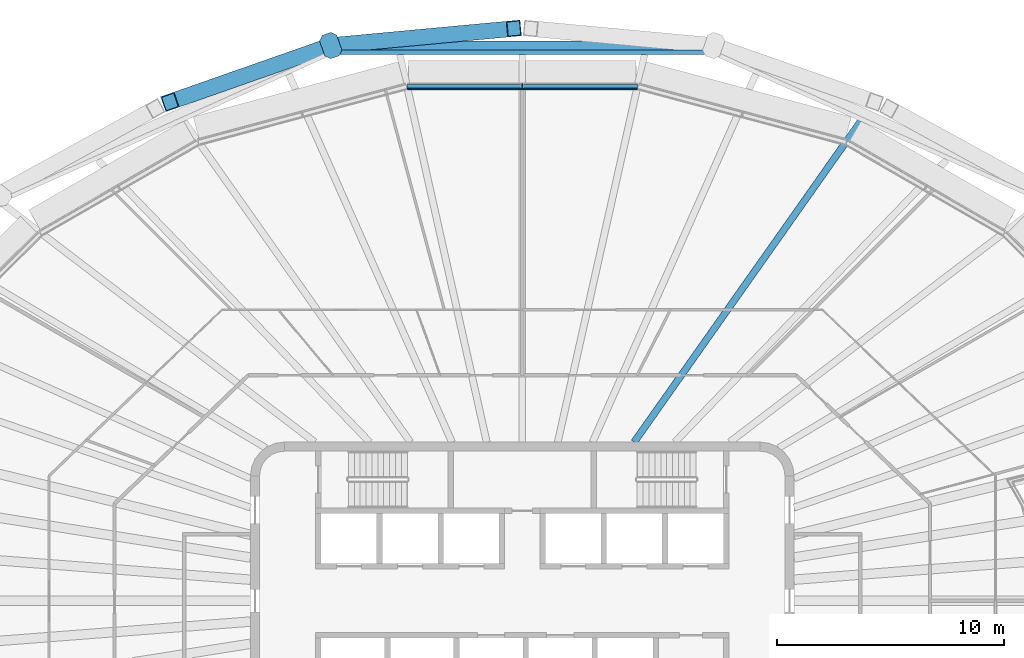
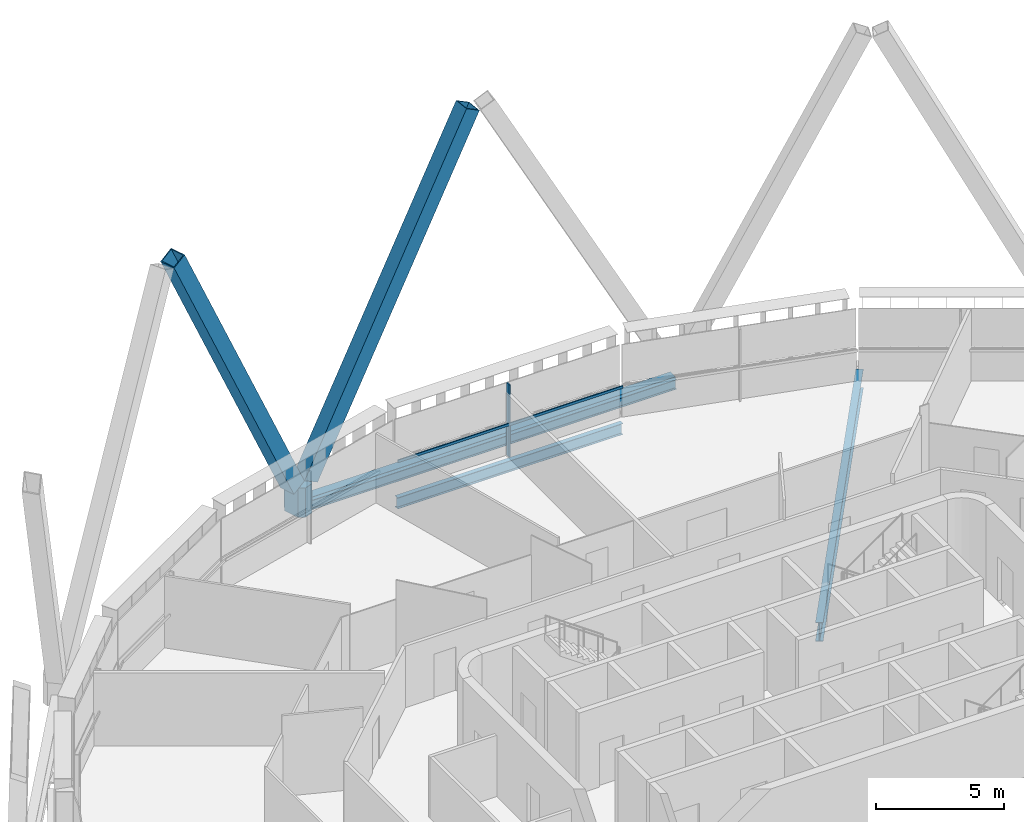
# One storey, part 7 of 20: 5 members, 4 beams, 1 element without a shape of its own.
"""IFC4 building model written with IfcOpenShell, lengths in metres."""

from ifc_helpers import new_model, si_unit, direction, frame, origin, origin_2d, place, context, subcontext, project, spatial, polyline, rectangle, hollow_rectangle, i_section, outline, extrude, material, layer, layer_set, material_profile, profile_set, type_object, element, aggregate, save


model = new_model("IFC4")

# Units and contexts
model_context = context("Model", 3, precision=1e-05, world=origin(), true_north=direction((0.0, 1.0)))
body_context = subcontext(model_context, "Body", "Model", "MODEL_VIEW")
ifc_project = project(units=[si_unit("LENGTHUNIT", "METRE"), si_unit("AREAUNIT", "SQUARE_METRE"), si_unit("VOLUMEUNIT", "CUBIC_METRE"), si_unit("PLANEANGLEUNIT", "RADIAN"), si_unit("MASSUNIT", "GRAM", prefix="KILO")], contexts=[model_context])

# Site, building, storey
site_placement = place(None, origin())
site = spatial("IfcSite", under=ifc_project, at=site_placement, CompositionType="ELEMENT")
building_placement = place(site_placement, origin())
building = spatial("IfcBuilding", under=site, at=building_placement, Name="Sahrelin Media Tower", CompositionType="ELEMENT")
storey_placement = place(building_placement, frame((0.0, 0.0, 267.0)))
storey = spatial("IfcBuildingStorey", under=building, at=storey_placement, Name="L58", CompositionType="ELEMENT", Elevation=267.0)

# Members
ifc_material_1 = material(Name="Steel S460", Category="steel")
ifc_material_profile_1 = material_profile(ifc_material_1, hollow_rectangle(XDim=0.699951171875, YDim=0.699951171875, WallThickness=0.0400390625, at=origin_2d()), Name="Diagrid diagonal DG7")
ifc_profile_set_1 = profile_set([ifc_material_profile_1], Name="Steel S460")
member_type_1 = type_object("IfcMemberType", Name="Diagrid diagonal DG7", PredefinedType="BRACE", material=ifc_profile_set_1)
member_1_placement = place(storey_placement, frame((-8.083984375, 24.5400390625, 0.699951171875), z_axis=(0.466722756786, 0.043323665084, 0.883341909083), x_axis=(-0.092427918345, 0.995719378093, 0.0)))
element("IfcMember", 1, at=member_1_placement, inside=storey, type_object=member_type_1, Name="Diagrid diagonal D13-06", PredefinedType="BRACE", context=body_context, shape_type="SweptSolid", body=[
    extrude(hollow_rectangle(XDim=0.699951171875, YDim=0.699951171875, WallThickness=0.0400390625, at=origin_2d()), origin(), (0.0, 0.0, 1.0), 16.5283203125),
])
member_2_placement = place(storey_placement, frame((-8.77880859375, 24.391845703125, 0.699951171875), z_axis=(-0.416459406995, -0.146017384502, 0.897351929707), x_axis=(0.330868348448, -0.943676923526, 0.0)))
element("IfcMember", 2, at=member_2_placement, inside=storey, type_object=member_type_1, Name="Diagrid diagonal D13-07", PredefinedType="BRACE", context=body_context, shape_type="SweptSolid", body=[
    extrude(hollow_rectangle(XDim=0.699951171875, YDim=0.699951171875, WallThickness=0.0400390625, at=origin_2d()), origin(), (0.0, 0.0, 1.0), 16.270263671875),
])
ifc_material_profile_2 = material_profile(ifc_material_1, outline(polyline([(0.35009765625, -0.39990234375), (0.550048828125, -0.199951171875), (0.550048828125, 0.199951171875), (0.35009765625, 0.39990234375), (-0.35009765625, 0.39990234375), (-0.550048828125, 0.199951171875), (-0.550048828125, -0.199951171875), (-0.35009765625, -0.39990234375), (0.35009765625, -0.39990234375)])), Name="Diagrid node block 1100")
ifc_profile_set_2 = profile_set([ifc_material_profile_2], Name="Steel S460")
member_type_2 = type_object("IfcMemberType", Name="Diagrid node block 1100", PredefinedType="USERDEFINED", material=ifc_profile_set_2)
member_3_placement = place(storey_placement, frame((-8.4541015625, 24.505859375, -0.699951171875), z_axis=(0.0, 0.0, 1.0), x_axis=(-0.326119279679, 0.945328628267, 0.0)))
element("IfcMember", 3, at=member_3_placement, inside=storey, type_object=member_type_2, Name="Diagrid node N13-03", ObjectType="NODE", PredefinedType="USERDEFINED", context=body_context, shape_type="SweptSolid", body=[
    extrude(outline(polyline([(0.35009765625, -0.39990234375), (0.550048828125, -0.199951171875), (0.550048828125, 0.199951171875), (0.35009765625, 0.39990234375), (-0.35009765625, 0.39990234375), (-0.550048828125, 0.199951171875), (-0.550048828125, -0.199951171875), (-0.35009765625, -0.39990234375), (0.35009765625, -0.39990234375)])), origin(), (0.0, 0.0, 1.0), 1.39990234375),
])

# Beams
ifc_material_profile_3 = material_profile(ifc_material_1, hollow_rectangle(XDim=0.39990234375, YDim=0.60009765625, WallThickness=0.030029296875, at=origin_2d()), Name="Diagrid ring beam RB1")
ifc_profile_set_3 = profile_set([ifc_material_profile_3], Name="Steel S460")
beam_type_1 = type_object("IfcBeamType", Name="Diagrid ring beam RB1", PredefinedType="BEAM", material=ifc_profile_set_3)
beam_1_placement = place(storey_placement, frame((8.4541015625, 24.505859375, -0.449951171875), z_axis=(-1.0, 0.0, 0.0), x_axis=(0.0, -1.0, 0.0)))
element("IfcBeam", 4, at=beam_1_placement, inside=storey, type_object=beam_type_1, Name="Diagrid ring beam RB13-02", PredefinedType="BEAM", context=body_context, shape_type="SweptSolid", body=[
    extrude(hollow_rectangle(XDim=0.39990234375, YDim=0.60009765625, WallThickness=0.030029296875, at=origin_2d()), origin(), (0.0, 0.0, 1.0), 16.908203125),
])
ifc_material_2 = material(Name="Steel S355", Category="steel")
ifc_material_profile_4 = material_profile(ifc_material_2, i_section(OverallWidth=0.208740234375, OverallDepth=0.5283203125, WebThickness=0.009521484375, FlangeThickness=0.01318359375, FilletRadius=0.0126953125, at=origin_2d()), Name="UB 533x210x82")
ifc_profile_set_4 = profile_set([ifc_material_profile_4], Name="Steel S355")
beam_type_2 = type_object("IfcBeamType", Name="Edge beam EB6", PredefinedType="BEAM", material=ifc_profile_set_4)
beam_2_placement = place(storey_placement, frame((-5.081787109375, 22.68017578125, -0.4140625), z_axis=(1.0, 0.0, 0.0), x_axis=(0.0, 1.0, 0.0)))
element("IfcBeam", 5, at=beam_2_placement, inside=storey, type_object=beam_type_2, Name="Edge beam L58-16", PredefinedType="BEAM", context=body_context, shape_type="SweptSolid", body=[
    extrude(i_section(OverallWidth=0.208740234375, OverallDepth=0.5283203125, WebThickness=0.009521484375, FlangeThickness=0.01318359375, FilletRadius=0.0126953125, at=origin_2d()), origin(), (0.0, 0.0, 1.0), 10.16357421875),
])

# Curtain wall, member
ifc_material_3 = material(Name="Champagne anodised aluminium 6063-T6", Category="aluminium")
ifc_layer = layer(ifc_material_3, 0.14990234375)
ifc_layer_set = layer_set([ifc_layer], Name="Tower ribbon curtain wall")
curtain_wall_type = type_object("IfcCurtainWallType", Name="Tower ribbon curtain wall", PredefinedType="NOTDEFINED", material=ifc_layer_set)
curtain_wall_placement = place(storey_placement, frame((0.0, 22.830078125, 0.0), z_axis=(0.0, 0.0, 1.0), x_axis=(1.0, 0.0, 0.0)))
curtain_wall = element("IfcCurtainWall", 6, at=curtain_wall_placement, inside=storey, type_object=curtain_wall_type, Name="L58:CW:L58-06", PredefinedType="NOTDEFINED")
ifc_material_profile_5 = material_profile(ifc_material_3, rectangle(XDim=0.06005859375, YDim=0.199951171875, at=origin_2d()), Name="Mullion 60x200")
ifc_profile_set_5 = profile_set([ifc_material_profile_5], Name="Champagne anodised aluminium 6063-T6")
member_type_3 = type_object("IfcMemberType", Name="Mullion 60x200 CW1C", PredefinedType="MULLION", material=ifc_profile_set_5)
member_4_placement = place(storey_placement, frame((0.0, 22.710205078125, 0.0), z_axis=(0.0, 0.0, 1.0), x_axis=(-1.0, 0.0, 0.0)))
member_4 = element("IfcMember", 7, at=member_4_placement, type_object=member_type_3, Name="L58:CWM:L58-06", PredefinedType="MULLION", context=body_context, shape_type="SweptSolid", body=[
    extrude(rectangle(XDim=0.06005859375, YDim=0.199951171875, at=origin_2d()), origin(), (0.0, 0.0, 1.0), 3.448486328125),
])

# Beams
ifc_material_profile_6 = material_profile(ifc_material_2, i_section(OverallWidth=0.30322265625, OverallDepth=0.903076171875, WebThickness=0.01513671875, FlangeThickness=0.020263671875, FilletRadius=0.01904296875, at=origin_2d()), Name="UB 914x305x201")
ifc_profile_set_6 = profile_set([ifc_material_profile_6], Name="Steel S355")
beam_type_3 = type_object("IfcBeamType", Name="Radial primary beam PB11", PredefinedType="BEAM", material=ifc_profile_set_6)
beam_3_placement = place(storey_placement, frame((4.940185546875, 7.0, -0.6015625), z_axis=(0.576608007265, 0.817020933611, 0.0), x_axis=(-0.817020933611, 0.576608007265, 0.0)))
element("IfcBeam", 8, at=beam_3_placement, inside=storey, type_object=beam_type_3, Name="Radial beam L58-05", PredefinedType="BEAM", context=body_context, shape_type="SweptSolid", body=[
    extrude(i_section(OverallWidth=0.30322265625, OverallDepth=0.903076171875, WebThickness=0.01513671875, FlangeThickness=0.020263671875, FilletRadius=0.01904296875, at=origin_2d()), origin(), (0.0, 0.0, 1.0), 17.337646484375),
])
ifc_material_profile_7 = material_profile(ifc_material_2, i_section(OverallWidth=0.1904296875, OverallDepth=0.45703125, WebThickness=0.009033203125, FlangeThickness=0.014404296875, FilletRadius=0.01025390625, at=origin_2d()), Name="UB 457x191x74")
ifc_profile_set_7 = profile_set([ifc_material_profile_7], Name="Steel S355")
beam_type_4 = type_object("IfcBeamType", Name="Tie chord TC5", PredefinedType="BEAM", material=ifc_profile_set_7)
beam_4_placement = place(storey_placement, frame((-8.389892578125, 24.20556640625, -0.37841796875), z_axis=(1.0, 0.0, 0.0), x_axis=(0.0, 1.0, 0.0)))
element("IfcBeam", 9, at=beam_4_placement, inside=storey, type_object=beam_type_4, Name="Tie chord L58-10", PredefinedType="BEAM", context=body_context, shape_type="SweptSolid", body=[
    extrude(i_section(OverallWidth=0.1904296875, OverallDepth=0.45703125, WebThickness=0.009033203125, FlangeThickness=0.014404296875, FilletRadius=0.01025390625, at=origin_2d()), origin(), (0.0, 0.0, 1.0), 16.77978515625),
])

# Member
ifc_material_profile_8 = material_profile(ifc_material_3, rectangle(XDim=0.050048828125, YDim=0.1201171875, at=origin_2d()), Name="Transom 50x120")
ifc_profile_set_8 = profile_set([ifc_material_profile_8], Name="Champagne anodised aluminium 6063-T6")
member_type_4 = type_object("IfcMemberType", Name="Transom 50x120 CW1C", PredefinedType="USERDEFINED", material=ifc_profile_set_8)
member_5_placement = place(storey_placement, frame((5.06591796875, 22.585205078125, 1.60009765625), z_axis=(-1.0, 0.0, 0.0), x_axis=(0.0, -1.0, 0.0)))
member_5 = element("IfcMember", 10, at=member_5_placement, type_object=member_type_4, Name="L58:CWT:L58-06", ObjectType="TRANSOM", PredefinedType="USERDEFINED", context=body_context, shape_type="SweptSolid", body=[
    extrude(rectangle(XDim=0.050048828125, YDim=0.1201171875, at=origin_2d()), origin(), (0.0, 0.0, 1.0), 10.1318359375),
])

aggregate(curtain_wall, [member_4, member_5])

save(model, "model.ifc")
